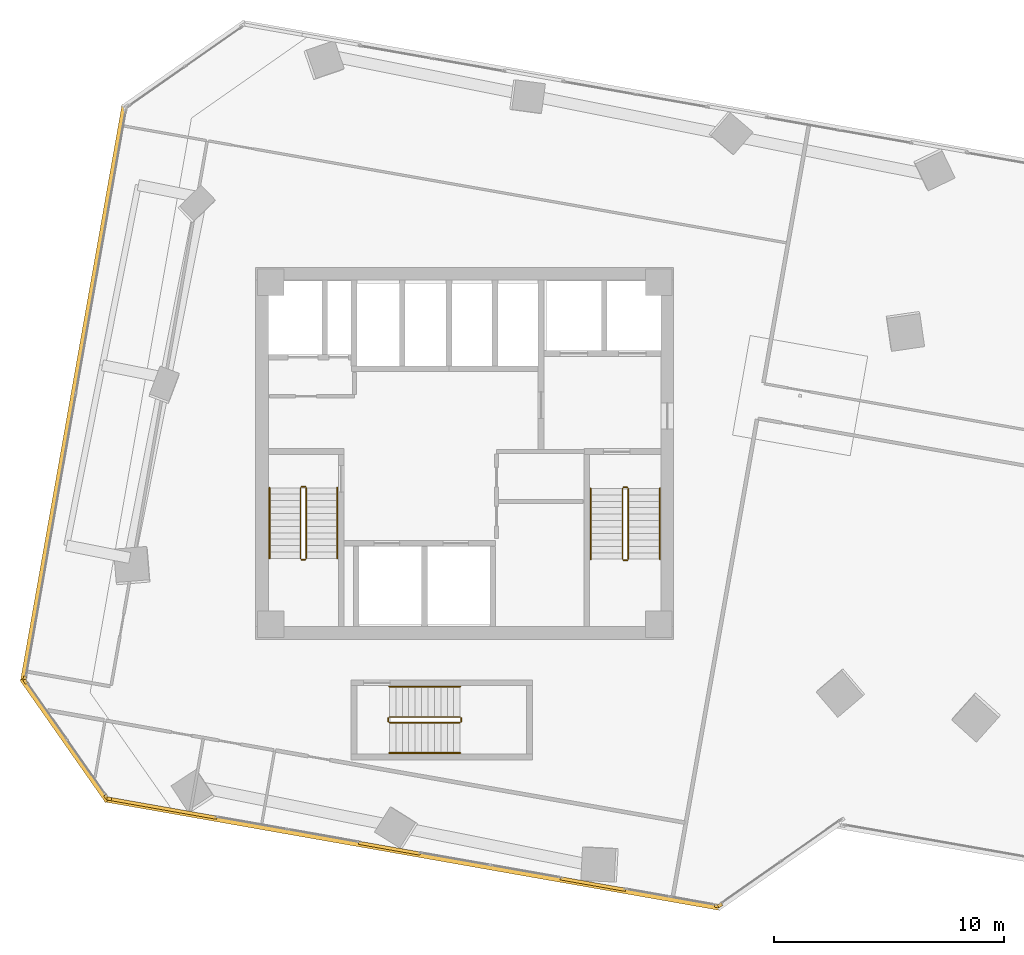
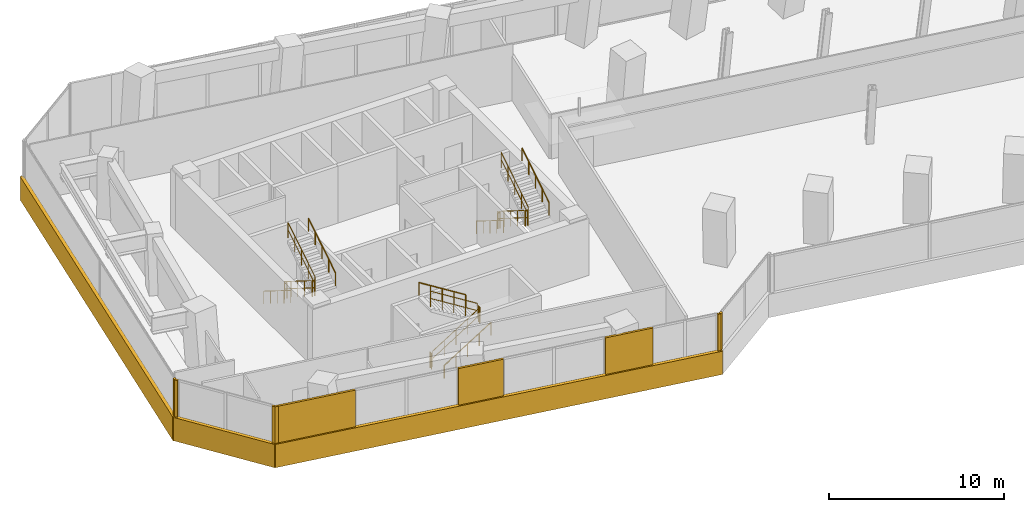
# One storey, part 22 of 24: 18 railings, 12 coverings.
"""IFC4 building model written with IfcOpenShell, lengths in metres."""

from ifc_helpers import new_model, si_unit, direction, frame, origin, origin_2d, place, context, subcontext, project, spatial, rectangle, circle, extrude, source, transform, mapped, material, layer, layer_set, type_object, element, save


model = new_model("IFC4")

# Units and contexts
model_context = context("Model", 3, precision=1e-05, world=origin(), true_north=direction((0.0, 1.0)))
body_context = subcontext(model_context, "Body", "Model", "MODEL_VIEW")
ifc_project = project(units=[si_unit("LENGTHUNIT", "METRE"), si_unit("AREAUNIT", "SQUARE_METRE"), si_unit("VOLUMEUNIT", "CUBIC_METRE"), si_unit("PLANEANGLEUNIT", "RADIAN"), si_unit("MASSUNIT", "GRAM", prefix="KILO")], contexts=[model_context])

# Site, building, storey
site_placement = place(None, origin())
site = spatial("IfcSite", under=ifc_project, at=site_placement, CompositionType="ELEMENT")
building_placement = place(site_placement, origin())
building = spatial("IfcBuilding", under=site, at=building_placement, Name="Torre Montelarca", CompositionType="ELEMENT")
storey_placement = place(building_placement, frame((0.0, 0.0, 79.0)))
storey = spatial("IfcBuildingStorey", under=building, at=storey_placement, Name="L17", CompositionType="ELEMENT", Elevation=79.0)

# Railings
ifc_material_1 = material(Name="Powder-coated steel ASTM A500 Grade C", Category="steel")
railing_type_1 = type_object("IfcRailingType", Name="RL-GUARD-1100", PredefinedType="BALUSTRADE", material=ifc_material_1)
railing_1_placement = place(storey_placement, frame((10.85009765625, 30.5, 0.175048828125)))
element("IfcRailing", 1, at=railing_1_placement, inside=storey, type_object=railing_type_1, Name="L17 ST1 stair guard 1", PredefinedType="BALUSTRADE", context=body_context, shape_type="SweptSolid", body=[
    extrude(circle(Radius=0.02392578125, at=origin_2d()), frame((0.0, 0.0, 1.076171875), z_axis=(0.0, -0.847998304005, 0.529998940003), x_axis=(1.0, 0.0, 0.0)), (0.0, 0.0, 1.0), 3.632080078125),
    extrude(circle(Radius=0.02099609375, at=origin_2d()), frame((0.0, 0.0, 0.572021484375), z_axis=(0.0, -0.847998304005, 0.529998940003), x_axis=(1.0, 0.0, 0.0)), (0.0, 0.0, 1.0), 3.632080078125),
    extrude(circle(Radius=0.02099609375, at=origin_2d()), origin(), (0.0, 0.0, 1.0), 1.052001953125),
    extrude(circle(Radius=0.02099609375, at=origin_2d()), frame((0.0, -0.77001953125, 0.481201171875)), (0.0, 0.0, 1.0), 1.052001953125),
    extrude(circle(Radius=0.02099609375, at=origin_2d()), frame((0.0, -1.5400390625, 0.96240234375)), (0.0, 0.0, 1.0), 1.052001953125),
    extrude(circle(Radius=0.02099609375, at=origin_2d()), frame((0.0, -2.31005859375, 1.44384765625)), (0.0, 0.0, 1.0), 1.052001953125),
    extrude(circle(Radius=0.02099609375, at=origin_2d()), frame((0.0, -3.080078125, 1.925048828125)), (0.0, 0.0, 1.0), 1.052001953125),
])
railing_2_placement = place(storey_placement, frame((10.89990234375, 27.3701171875, 2.10009765625)))
element("IfcRailing", 2, at=railing_2_placement, inside=storey, type_object=railing_type_1, Name="L17 ST1 stair guard 2", PredefinedType="BALUSTRADE", context=body_context, shape_type="SweptSolid", body=[
    extrude(circle(Radius=0.02392578125, at=origin_2d()), frame((0.0, 0.0, 1.076171875), z_axis=(1.0, 0.0, 0.0), x_axis=(0.0, 1.0, 0.0)), (0.0, 0.0, 1.0), 0.150146484375),
    extrude(circle(Radius=0.02099609375, at=origin_2d()), frame((0.0, 0.0, 0.572021484375), z_axis=(1.0, 0.0, 0.0), x_axis=(0.0, 1.0, 0.0)), (0.0, 0.0, 1.0), 0.150146484375),
    extrude(circle(Radius=0.02099609375, at=origin_2d()), origin(), (0.0, 0.0, 1.0), 1.052001953125),
    extrude(circle(Radius=0.02099609375, at=origin_2d()), frame((0.150146484375, 0.0, 0.0)), (0.0, 0.0, 1.0), 1.052001953125),
])
railing_3_placement = place(storey_placement, frame((11.10009765625, 27.419921875, 2.27490234375)))
element("IfcRailing", 3, at=railing_3_placement, inside=storey, type_object=railing_type_1, Name="L17 ST1 stair guard 3", PredefinedType="BALUSTRADE", context=body_context, shape_type="SweptSolid", body=[
    extrude(circle(Radius=0.02392578125, at=origin_2d()), frame((0.0, 0.0, 1.076171875), z_axis=(0.0, 0.847998304005, 0.529998940003), x_axis=(-1.0, 0.0, 0.0)), (0.0, 0.0, 1.0), 3.632080078125),
    extrude(circle(Radius=0.02099609375, at=origin_2d()), frame((0.0, 0.0, 0.572021484375), z_axis=(0.0, 0.847998304005, 0.529998940003), x_axis=(-1.0, 0.0, 0.0)), (0.0, 0.0, 1.0), 3.632080078125),
    extrude(circle(Radius=0.02099609375, at=origin_2d()), origin(), (0.0, 0.0, 1.0), 1.052001953125),
    extrude(circle(Radius=0.02099609375, at=origin_2d()), frame((0.0, 0.77001953125, 0.481201171875)), (0.0, 0.0, 1.0), 1.052001953125),
    extrude(circle(Radius=0.02099609375, at=origin_2d()), frame((0.0, 1.5400390625, 0.96240234375)), (0.0, 0.0, 1.0), 1.052001953125),
    extrude(circle(Radius=0.02099609375, at=origin_2d()), frame((0.0, 2.31005859375, 1.44384765625)), (0.0, 0.0, 1.0), 1.052001953125),
    extrude(circle(Radius=0.02099609375, at=origin_2d()), frame((0.0, 3.080078125, 1.925048828125)), (0.0, 0.0, 1.0), 1.052001953125),
])
railing_4_placement = place(storey_placement, frame((10.89990234375, 30.550048828125, 0.0)))
element("IfcRailing", 4, at=railing_4_placement, inside=storey, type_object=railing_type_1, Name="L17 ST1 stair guard 4", PredefinedType="BALUSTRADE", context=body_context, shape_type="SweptSolid", body=[
    extrude(circle(Radius=0.02392578125, at=origin_2d()), frame((0.0, 0.0, 1.076171875), z_axis=(1.0, 0.0, 0.0), x_axis=(0.0, 1.0, 0.0)), (0.0, 0.0, 1.0), 0.150146484375),
    extrude(circle(Radius=0.02099609375, at=origin_2d()), frame((0.0, 0.0, 0.572021484375), z_axis=(1.0, 0.0, 0.0), x_axis=(0.0, 1.0, 0.0)), (0.0, 0.0, 1.0), 0.150146484375),
    extrude(circle(Radius=0.02099609375, at=origin_2d()), origin(), (0.0, 0.0, 1.0), 1.052001953125),
    extrude(circle(Radius=0.02099609375, at=origin_2d()), frame((0.150146484375, 0.0, 0.0)), (0.0, 0.0, 1.0), 1.052001953125),
])
railing_5_placement = place(storey_placement, frame((24.8701171875, 30.469970703125, 0.175048828125)))
element("IfcRailing", 5, at=railing_5_placement, inside=storey, type_object=railing_type_1, Name="L17 ST2 stair guard 1", PredefinedType="BALUSTRADE", context=body_context, shape_type="SweptSolid", body=[
    extrude(circle(Radius=0.02392578125, at=origin_2d()), frame((0.0, 0.0, 1.076171875), z_axis=(0.0, -0.847998304005, 0.529998940003), x_axis=(1.0, 0.0, 0.0)), (0.0, 0.0, 1.0), 3.632080078125),
    extrude(circle(Radius=0.02099609375, at=origin_2d()), frame((0.0, 0.0, 0.572021484375), z_axis=(0.0, -0.847998304005, 0.529998940003), x_axis=(1.0, 0.0, 0.0)), (0.0, 0.0, 1.0), 3.632080078125),
    extrude(circle(Radius=0.02099609375, at=origin_2d()), origin(), (0.0, 0.0, 1.0), 1.052001953125),
    extrude(circle(Radius=0.02099609375, at=origin_2d()), frame((0.0, -0.77001953125, 0.481201171875)), (0.0, 0.0, 1.0), 1.052001953125),
    extrude(circle(Radius=0.02099609375, at=origin_2d()), frame((0.0, -1.5400390625, 0.96240234375)), (0.0, 0.0, 1.0), 1.052001953125),
    extrude(circle(Radius=0.02099609375, at=origin_2d()), frame((0.0, -2.31005859375, 1.44384765625)), (0.0, 0.0, 1.0), 1.052001953125),
    extrude(circle(Radius=0.02099609375, at=origin_2d()), frame((0.0, -3.080078125, 1.925048828125)), (0.0, 0.0, 1.0), 1.052001953125),
])
railing_6_placement = place(storey_placement, frame((24.919921875, 27.340087890625, 2.10009765625)))
element("IfcRailing", 6, at=railing_6_placement, inside=storey, type_object=railing_type_1, Name="L17 ST2 stair guard 2", PredefinedType="BALUSTRADE", context=body_context, shape_type="SweptSolid", body=[
    extrude(circle(Radius=0.02392578125, at=origin_2d()), frame((0.0, 0.0, 1.076171875), z_axis=(1.0, 0.0, 0.0), x_axis=(0.0, 1.0, 0.0)), (0.0, 0.0, 1.0), 0.150146484375),
    extrude(circle(Radius=0.02099609375, at=origin_2d()), frame((0.0, 0.0, 0.572021484375), z_axis=(1.0, 0.0, 0.0), x_axis=(0.0, 1.0, 0.0)), (0.0, 0.0, 1.0), 0.150146484375),
    extrude(circle(Radius=0.02099609375, at=origin_2d()), origin(), (0.0, 0.0, 1.0), 1.052001953125),
    extrude(circle(Radius=0.02099609375, at=origin_2d()), frame((0.150146484375, 0.0, 0.0)), (0.0, 0.0, 1.0), 1.052001953125),
])
railing_7_placement = place(storey_placement, frame((25.1201171875, 27.389892578125, 2.27490234375)))
element("IfcRailing", 7, at=railing_7_placement, inside=storey, type_object=railing_type_1, Name="L17 ST2 stair guard 3", PredefinedType="BALUSTRADE", context=body_context, shape_type="SweptSolid", body=[
    extrude(circle(Radius=0.02392578125, at=origin_2d()), frame((0.0, 0.0, 1.076171875), z_axis=(0.0, 0.847998304005, 0.529998940003), x_axis=(-1.0, 0.0, 0.0)), (0.0, 0.0, 1.0), 3.632080078125),
    extrude(circle(Radius=0.02099609375, at=origin_2d()), frame((0.0, 0.0, 0.572021484375), z_axis=(0.0, 0.847998304005, 0.529998940003), x_axis=(-1.0, 0.0, 0.0)), (0.0, 0.0, 1.0), 3.632080078125),
    extrude(circle(Radius=0.02099609375, at=origin_2d()), origin(), (0.0, 0.0, 1.0), 1.052001953125),
    extrude(circle(Radius=0.02099609375, at=origin_2d()), frame((0.0, 0.77001953125, 0.481201171875)), (0.0, 0.0, 1.0), 1.052001953125),
    extrude(circle(Radius=0.02099609375, at=origin_2d()), frame((0.0, 1.5400390625, 0.96240234375)), (0.0, 0.0, 1.0), 1.052001953125),
    extrude(circle(Radius=0.02099609375, at=origin_2d()), frame((0.0, 2.31005859375, 1.44384765625)), (0.0, 0.0, 1.0), 1.052001953125),
    extrude(circle(Radius=0.02099609375, at=origin_2d()), frame((0.0, 3.080078125, 1.925048828125)), (0.0, 0.0, 1.0), 1.052001953125),
])
railing_8_placement = place(storey_placement, frame((24.919921875, 30.52001953125, 0.0)))
element("IfcRailing", 8, at=railing_8_placement, inside=storey, type_object=railing_type_1, Name="L17 ST2 stair guard 4", PredefinedType="BALUSTRADE", context=body_context, shape_type="SweptSolid", body=[
    extrude(circle(Radius=0.02392578125, at=origin_2d()), frame((0.0, 0.0, 1.076171875), z_axis=(1.0, 0.0, 0.0), x_axis=(0.0, 1.0, 0.0)), (0.0, 0.0, 1.0), 0.150146484375),
    extrude(circle(Radius=0.02099609375, at=origin_2d()), frame((0.0, 0.0, 0.572021484375), z_axis=(1.0, 0.0, 0.0), x_axis=(0.0, 1.0, 0.0)), (0.0, 0.0, 1.0), 0.150146484375),
    extrude(circle(Radius=0.02099609375, at=origin_2d()), origin(), (0.0, 0.0, 1.0), 1.052001953125),
    extrude(circle(Radius=0.02099609375, at=origin_2d()), frame((0.150146484375, 0.0, 0.0)), (0.0, 0.0, 1.0), 1.052001953125),
])
railing_9_placement = place(storey_placement, frame((14.719970703125, 20.27001953125, 0.175048828125)))
element("IfcRailing", 9, at=railing_9_placement, inside=storey, type_object=railing_type_1, Name="L17 ST3 stair guard 1", PredefinedType="BALUSTRADE", context=body_context, shape_type="SweptSolid", body=[
    extrude(circle(Radius=0.02392578125, at=origin_2d()), frame((0.0, 0.0, 1.076171875), z_axis=(0.847998304005, 0.0, 0.529998940003), x_axis=(0.0, 1.0, 0.0)), (0.0, 0.0, 1.0), 3.632080078125),
    extrude(circle(Radius=0.02099609375, at=origin_2d()), frame((0.0, 0.0, 0.572021484375), z_axis=(0.847998304005, 0.0, 0.529998940003), x_axis=(0.0, 1.0, 0.0)), (0.0, 0.0, 1.0), 3.632080078125),
    extrude(circle(Radius=0.02099609375, at=origin_2d()), origin(), (0.0, 0.0, 1.0), 1.052001953125),
    extrude(circle(Radius=0.02099609375, at=origin_2d()), frame((0.77001953125, 0.0, 0.481201171875)), (0.0, 0.0, 1.0), 1.052001953125),
    extrude(circle(Radius=0.02099609375, at=origin_2d()), frame((1.5400390625, 0.0, 0.96240234375)), (0.0, 0.0, 1.0), 1.052001953125),
    extrude(circle(Radius=0.02099609375, at=origin_2d()), frame((2.31005859375, 0.0, 1.44384765625)), (0.0, 0.0, 1.0), 1.052001953125),
    extrude(circle(Radius=0.02099609375, at=origin_2d()), frame((3.080078125, 0.0, 1.925048828125)), (0.0, 0.0, 1.0), 1.052001953125),
])
railing_10_placement = place(storey_placement, frame((17.85009765625, 20.320068359375, 2.10009765625)))
element("IfcRailing", 10, at=railing_10_placement, inside=storey, type_object=railing_type_1, Name="L17 ST3 stair guard 2", PredefinedType="BALUSTRADE", context=body_context, shape_type="SweptSolid", body=[
    extrude(circle(Radius=0.02392578125, at=origin_2d()), frame((0.0, 0.0, 1.076171875), z_axis=(0.0, 1.0, 0.0), x_axis=(-1.0, 0.0, 0.0)), (0.0, 0.0, 1.0), 0.14990234375),
    extrude(circle(Radius=0.02099609375, at=origin_2d()), frame((0.0, 0.0, 0.572021484375), z_axis=(0.0, 1.0, 0.0), x_axis=(-1.0, 0.0, 0.0)), (0.0, 0.0, 1.0), 0.14990234375),
    extrude(circle(Radius=0.02099609375, at=origin_2d()), origin(), (0.0, 0.0, 1.0), 1.052001953125),
    extrude(circle(Radius=0.02099609375, at=origin_2d()), frame((0.0, 0.14990234375, 0.0)), (0.0, 0.0, 1.0), 1.052001953125),
])
railing_11_placement = place(storey_placement, frame((17.800048828125, 20.52001953125, 2.27490234375)))
element("IfcRailing", 11, at=railing_11_placement, inside=storey, type_object=railing_type_1, Name="L17 ST3 stair guard 3", PredefinedType="BALUSTRADE", context=body_context, shape_type="SweptSolid", body=[
    extrude(circle(Radius=0.02392578125, at=origin_2d()), frame((0.0, 0.0, 1.076171875), z_axis=(-0.847998304005, 0.0, 0.529998940003), x_axis=(0.0, -1.0, 0.0)), (0.0, 0.0, 1.0), 3.632080078125),
    extrude(circle(Radius=0.02099609375, at=origin_2d()), frame((0.0, 0.0, 0.572021484375), z_axis=(-0.847998304005, 0.0, 0.529998940003), x_axis=(0.0, -1.0, 0.0)), (0.0, 0.0, 1.0), 3.632080078125),
    extrude(circle(Radius=0.02099609375, at=origin_2d()), origin(), (0.0, 0.0, 1.0), 1.052001953125),
    extrude(circle(Radius=0.02099609375, at=origin_2d()), frame((-0.77001953125, 0.0, 0.481201171875)), (0.0, 0.0, 1.0), 1.052001953125),
    extrude(circle(Radius=0.02099609375, at=origin_2d()), frame((-1.5400390625, 0.0, 0.96240234375)), (0.0, 0.0, 1.0), 1.052001953125),
    extrude(circle(Radius=0.02099609375, at=origin_2d()), frame((-2.31005859375, 0.0, 1.44384765625)), (0.0, 0.0, 1.0), 1.052001953125),
    extrude(circle(Radius=0.02099609375, at=origin_2d()), frame((-3.080078125, 0.0, 1.925048828125)), (0.0, 0.0, 1.0), 1.052001953125),
])
railing_12_placement = place(storey_placement, frame((14.669921875, 20.320068359375, 0.0)))
element("IfcRailing", 12, at=railing_12_placement, inside=storey, type_object=railing_type_1, Name="L17 ST3 stair guard 4", PredefinedType="BALUSTRADE", context=body_context, shape_type="SweptSolid", body=[
    extrude(circle(Radius=0.02392578125, at=origin_2d()), frame((0.0, 0.0, 1.076171875), z_axis=(0.0, 1.0, 0.0), x_axis=(-1.0, 0.0, 0.0)), (0.0, 0.0, 1.0), 0.14990234375),
    extrude(circle(Radius=0.02099609375, at=origin_2d()), frame((0.0, 0.0, 0.572021484375), z_axis=(0.0, 1.0, 0.0), x_axis=(-1.0, 0.0, 0.0)), (0.0, 0.0, 1.0), 0.14990234375),
    extrude(circle(Radius=0.02099609375, at=origin_2d()), origin(), (0.0, 0.0, 1.0), 1.052001953125),
    extrude(circle(Radius=0.02099609375, at=origin_2d()), frame((0.0, 0.14990234375, 0.0)), (0.0, 0.0, 1.0), 1.052001953125),
])
ifc_material_2 = material(Name="Brushed stainless steel AISI 316", Category="steel")
railing_type_2 = type_object("IfcRailingType", Name="RL-HANDRAIL-900", PredefinedType="HANDRAIL", material=ifc_material_2)
railing_13_placement = place(storey_placement, frame((9.5, 30.5, 0.175048828125)))
element("IfcRailing", 13, at=railing_13_placement, inside=storey, type_object=railing_type_2, Name="L17 ST1 stair handrail 1", PredefinedType="HANDRAIL", context=body_context, shape_type="SweptSolid", body=[
    extrude(circle(Radius=0.02392578125, at=origin_2d()), frame((0.0, 0.0, 0.8759765625), z_axis=(0.0, -0.847998304005, 0.529998940003), x_axis=(1.0, 0.0, 0.0)), (0.0, 0.0, 1.0), 3.632080078125),
    extrude(circle(Radius=0.02099609375, at=origin_2d()), origin(), (0.0, 0.0, 1.0), 0.851806640625),
    extrude(circle(Radius=0.02099609375, at=origin_2d()), frame((0.0, -0.77001953125, 0.481201171875)), (0.0, 0.0, 1.0), 0.851806640625),
    extrude(circle(Radius=0.02099609375, at=origin_2d()), frame((0.0, -1.5400390625, 0.96240234375)), (0.0, 0.0, 1.0), 0.851806640625),
    extrude(circle(Radius=0.02099609375, at=origin_2d()), frame((0.0, -2.31005859375, 1.44384765625)), (0.0, 0.0, 1.0), 0.851806640625),
    extrude(circle(Radius=0.02099609375, at=origin_2d()), frame((0.0, -3.080078125, 1.925048828125)), (0.0, 0.0, 1.0), 0.851806640625),
])
railing_14_placement = place(storey_placement, frame((12.449951171875, 27.419921875, 2.27490234375)))
element("IfcRailing", 14, at=railing_14_placement, inside=storey, type_object=railing_type_2, Name="L17 ST1 stair handrail 2", PredefinedType="HANDRAIL", context=body_context, shape_type="SweptSolid", body=[
    extrude(circle(Radius=0.02392578125, at=origin_2d()), frame((0.0, 0.0, 0.8759765625), z_axis=(0.0, 0.847998304005, 0.529998940003), x_axis=(-1.0, 0.0, 0.0)), (0.0, 0.0, 1.0), 3.632080078125),
    extrude(circle(Radius=0.02099609375, at=origin_2d()), origin(), (0.0, 0.0, 1.0), 0.851806640625),
    extrude(circle(Radius=0.02099609375, at=origin_2d()), frame((0.0, 0.77001953125, 0.481201171875)), (0.0, 0.0, 1.0), 0.851806640625),
    extrude(circle(Radius=0.02099609375, at=origin_2d()), frame((0.0, 1.5400390625, 0.96240234375)), (0.0, 0.0, 1.0), 0.851806640625),
    extrude(circle(Radius=0.02099609375, at=origin_2d()), frame((0.0, 2.31005859375, 1.44384765625)), (0.0, 0.0, 1.0), 0.851806640625),
    extrude(circle(Radius=0.02099609375, at=origin_2d()), frame((0.0, 3.080078125, 1.925048828125)), (0.0, 0.0, 1.0), 0.851806640625),
])
railing_15_placement = place(storey_placement, frame((23.489990234375, 30.469970703125, 0.175048828125)))
element("IfcRailing", 15, at=railing_15_placement, inside=storey, type_object=railing_type_2, Name="L17 ST2 stair handrail 1", PredefinedType="HANDRAIL", context=body_context, shape_type="SweptSolid", body=[
    extrude(circle(Radius=0.02392578125, at=origin_2d()), frame((0.0, 0.0, 0.8759765625), z_axis=(0.0, -0.847998304005, 0.529998940003), x_axis=(1.0, 0.0, 0.0)), (0.0, 0.0, 1.0), 3.632080078125),
    extrude(circle(Radius=0.02099609375, at=origin_2d()), origin(), (0.0, 0.0, 1.0), 0.851806640625),
    extrude(circle(Radius=0.02099609375, at=origin_2d()), frame((0.0, -0.77001953125, 0.481201171875)), (0.0, 0.0, 1.0), 0.851806640625),
    extrude(circle(Radius=0.02099609375, at=origin_2d()), frame((0.0, -1.5400390625, 0.96240234375)), (0.0, 0.0, 1.0), 0.851806640625),
    extrude(circle(Radius=0.02099609375, at=origin_2d()), frame((0.0, -2.31005859375, 1.44384765625)), (0.0, 0.0, 1.0), 0.851806640625),
    extrude(circle(Radius=0.02099609375, at=origin_2d()), frame((0.0, -3.080078125, 1.925048828125)), (0.0, 0.0, 1.0), 0.851806640625),
])
railing_16_placement = place(storey_placement, frame((26.5, 27.389892578125, 2.27490234375)))
element("IfcRailing", 16, at=railing_16_placement, inside=storey, type_object=railing_type_2, Name="L17 ST2 stair handrail 2", PredefinedType="HANDRAIL", context=body_context, shape_type="SweptSolid", body=[
    extrude(circle(Radius=0.02392578125, at=origin_2d()), frame((0.0, 0.0, 0.8759765625), z_axis=(0.0, 0.847998304005, 0.529998940003), x_axis=(-1.0, 0.0, 0.0)), (0.0, 0.0, 1.0), 3.632080078125),
    extrude(circle(Radius=0.02099609375, at=origin_2d()), origin(), (0.0, 0.0, 1.0), 0.851806640625),
    extrude(circle(Radius=0.02099609375, at=origin_2d()), frame((0.0, 0.77001953125, 0.481201171875)), (0.0, 0.0, 1.0), 0.851806640625),
    extrude(circle(Radius=0.02099609375, at=origin_2d()), frame((0.0, 1.5400390625, 0.96240234375)), (0.0, 0.0, 1.0), 0.851806640625),
    extrude(circle(Radius=0.02099609375, at=origin_2d()), frame((0.0, 2.31005859375, 1.44384765625)), (0.0, 0.0, 1.0), 0.851806640625),
    extrude(circle(Radius=0.02099609375, at=origin_2d()), frame((0.0, 3.080078125, 1.925048828125)), (0.0, 0.0, 1.0), 0.851806640625),
])
railing_17_placement = place(storey_placement, frame((14.719970703125, 18.949951171875, 0.175048828125)))
element("IfcRailing", 17, at=railing_17_placement, inside=storey, type_object=railing_type_2, Name="L17 ST3 stair handrail 1", PredefinedType="HANDRAIL", context=body_context, shape_type="SweptSolid", body=[
    extrude(circle(Radius=0.02392578125, at=origin_2d()), frame((0.0, 0.0, 0.8759765625), z_axis=(0.847998304005, 0.0, 0.529998940003), x_axis=(0.0, 1.0, 0.0)), (0.0, 0.0, 1.0), 3.632080078125),
    extrude(circle(Radius=0.02099609375, at=origin_2d()), origin(), (0.0, 0.0, 1.0), 0.851806640625),
    extrude(circle(Radius=0.02099609375, at=origin_2d()), frame((0.77001953125, 0.0, 0.481201171875)), (0.0, 0.0, 1.0), 0.851806640625),
    extrude(circle(Radius=0.02099609375, at=origin_2d()), frame((1.5400390625, 0.0, 0.96240234375)), (0.0, 0.0, 1.0), 0.851806640625),
    extrude(circle(Radius=0.02099609375, at=origin_2d()), frame((2.31005859375, 0.0, 1.44384765625)), (0.0, 0.0, 1.0), 0.851806640625),
    extrude(circle(Radius=0.02099609375, at=origin_2d()), frame((3.080078125, 0.0, 1.925048828125)), (0.0, 0.0, 1.0), 0.851806640625),
])
railing_18_placement = place(storey_placement, frame((17.800048828125, 21.840087890625, 2.27490234375)))
element("IfcRailing", 18, at=railing_18_placement, inside=storey, type_object=railing_type_2, Name="L17 ST3 stair handrail 2", PredefinedType="HANDRAIL", context=body_context, shape_type="SweptSolid", body=[
    extrude(circle(Radius=0.02392578125, at=origin_2d()), frame((0.0, 0.0, 0.8759765625), z_axis=(-0.847998304005, 0.0, 0.529998940003), x_axis=(0.0, -1.0, 0.0)), (0.0, 0.0, 1.0), 3.632080078125),
    extrude(circle(Radius=0.02099609375, at=origin_2d()), origin(), (0.0, 0.0, 1.0), 0.851806640625),
    extrude(circle(Radius=0.02099609375, at=origin_2d()), frame((-0.77001953125, 0.0, 0.481201171875)), (0.0, 0.0, 1.0), 0.851806640625),
    extrude(circle(Radius=0.02099609375, at=origin_2d()), frame((-1.5400390625, 0.0, 0.96240234375)), (0.0, 0.0, 1.0), 0.851806640625),
    extrude(circle(Radius=0.02099609375, at=origin_2d()), frame((-2.31005859375, 0.0, 1.44384765625)), (0.0, 0.0, 1.0), 0.851806640625),
    extrude(circle(Radius=0.02099609375, at=origin_2d()), frame((-3.080078125, 0.0, 1.925048828125)), (0.0, 0.0, 1.0), 0.851806640625),
])

# Coverings
ifc_material_3 = material(Name="Bush-hammered warm white precast concrete C45/55", Category="concrete")
ifc_layer = layer(ifc_material_3, 0.139892578125, Name="Bush-hammered warm white precast concrete C45/55", Category="concrete")
ifc_layer_set = layer_set([ifc_layer], Name="Bush-hammered warm white precast concrete C45/55")
covering_type = type_object("IfcCoveringType", Name="COV-TRAY-CLAD", PredefinedType="CLADDING", material=ifc_layer_set)
shared_shape_1 = source(origin(), body_context, "Body", "SweptSolid", [
    extrude(rectangle(XDim=6.48388671875, YDim=0.219970703125, at=origin_2d()), origin(), (0.0, 0.0, 1.0), 1.6201171875),
])
covering_1_placement = place(storey_placement, frame((0.585205078125, 19.513427734375, -0.449951171875), z_axis=(0.0, 0.0, 1.0), x_axis=(0.573570717577, -0.819156048588, 0.0)))
element("IfcCovering", 19, at=covering_1_placement, inside=storey, type_object=covering_type, Name="L17 Architectural White Spandrel Tray Band TRYBOT-11", PredefinedType="CLADDING", context=body_context, shape_type="MappedRepresentation", body=[
    mapped(shared_shape_1, transform((0.0, 0.0, 0.0), scale=1.0)),
])
shared_shape_2 = source(origin(), body_context, "Body", "SweptSolid", [
    extrude(rectangle(XDim=25.52001953125, YDim=0.219970703125, at=origin_2d()), origin(), (0.0, 0.0, 1.0), 1.6201171875),
])
covering_2_placement = place(storey_placement, frame((0.970458984375, 34.6044921875, -0.449951171875), z_axis=(0.0, 0.0, 1.0), x_axis=(-0.17364989648, -0.984807449937, 0.0)))
element("IfcCovering", 20, at=covering_2_placement, inside=storey, type_object=covering_type, Name="L17 Architectural White Spandrel Tray Band TRYBOT-10", PredefinedType="CLADDING", context=body_context, shape_type="MappedRepresentation", body=[
    mapped(shared_shape_2, transform((0.0, 0.0, 0.0), scale=1.0)),
])
shared_shape_3 = source(origin(), body_context, "Body", "SweptSolid", [
    extrude(rectangle(XDim=27.219970703125, YDim=0.219970703125, at=origin_2d()), origin(), (0.0, 0.0, 1.0), 1.6201171875),
])
covering_3_placement = place(storey_placement, frame((15.735107421875, 14.566162109375, -0.449951171875), z_axis=(0.0, 0.0, 1.0), x_axis=(0.984807449937, -0.17364989648, 0.0)))
element("IfcCovering", 21, at=covering_3_placement, inside=storey, type_object=covering_type, Name="L17 Architectural White Spandrel Tray Band TRYBOT-01", PredefinedType="CLADDING", context=body_context, shape_type="MappedRepresentation", body=[
    mapped(shared_shape_3, transform((0.0, 0.0, 0.0), scale=1.0)),
])
shared_shape_4 = source(origin(), body_context, "Body", "SweptSolid", [
    extrude(rectangle(XDim=2.734375, YDim=0.139892578125, at=origin_2d()), origin(), (0.0, 0.0, 1.0), 3.719970703125),
])
covering_4_placement = place(storey_placement, frame((14.72412109375, 14.805419921875, 0.0), z_axis=(0.0, 0.0, 1.0), x_axis=(0.984807753012, -0.173648177667, 0.0)))
element("IfcCovering", 22, at=covering_4_placement, inside=storey, type_object=covering_type, Name="L17 Architectural Column Pier Cladding E01-3", PredefinedType="CLADDING", context=body_context, shape_type="MappedRepresentation", body=[
    mapped(shared_shape_4, transform((0.0, 0.0, 0.0), scale=1.0)),
])
shared_shape_5 = source(origin(), body_context, "Body", "SweptSolid", [
    extrude(rectangle(XDim=2.886474609375, YDim=0.139892578125, at=origin_2d()), origin(), (0.0, 0.0, 1.0), 3.719970703125),
])
covering_5_placement = place(storey_placement, frame((23.586181640625, 13.242919921875, 0.0), z_axis=(0.0, 0.0, 1.0), x_axis=(0.984807753012, -0.173648177667, 0.0)))
element("IfcCovering", 23, at=covering_5_placement, inside=storey, type_object=covering_type, Name="L17 Architectural Column Pier Cladding E01-4", PredefinedType="CLADDING", context=body_context, shape_type="MappedRepresentation", body=[
    mapped(shared_shape_5, transform((0.0, 0.0, 0.0), scale=1.0)),
])
shared_shape_6 = source(origin(), body_context, "Body", "SweptSolid", [
    extrude(rectangle(XDim=0.199951171875, YDim=0.139892578125, at=origin_2d()), origin(), (0.0, 0.0, 1.0), 3.719970703125),
])
for number, where, z_axis, x_axis, name in (
    (24, (2.515380859375, 16.9580078125, 0.0), (0.0, 0.0, 1.0), (0.984807753012, -0.173648177667, 0.0), "L17 Architectural Column Pier Cladding E01-1"),
    (25, (28.9755859375, 12.29248046875, 0.0), (0.0, 0.0, 1.0), (0.984807753012, -0.173648177667, 0.0), "L17 Architectural Column Pier Cladding E01-5"),
    (26, (29.1171875, 12.323974609375, 0.0), (0.0, 0.0, 1.0), (0.819155047517, 0.573572147273, 0.0), "L17 Architectural Column Pier Cladding E02-1"),
    (27, (-1.15576171875, 22.201171875, 0.0), (0.0, 0.0, 1.0), (-0.173648177667, -0.984807753012, 0.0), "L17 Architectural Column Pier Cladding E10-2"),
    (28, (-1.124267578125, 22.0595703125, 0.0), (0.0, 0.0, 1.0), (0.573557850233, -0.819165058115, 0.0), "L17 Architectural Column Pier Cladding E11-1"),
    (29, (2.39306640625, 17.0361328125, 0.0), (0.0, 0.0, 1.0), (0.573557850233, -0.819165058115, 0.0), "L17 Architectural Column Pier Cladding E11-2"),
):
    element("IfcCovering", number, at=place(storey_placement, frame(where, z_axis=z_axis, x_axis=x_axis)), inside=storey, type_object=covering_type, Name=name, PredefinedType="CLADDING", context=body_context, shape_type="MappedRepresentation", body=[
        mapped(shared_shape_6, transform((0.0, 0.0, 0.0), scale=1.0)),
    ])
shared_shape_7 = source(origin(), body_context, "Body", "SweptSolid", [
    extrude(rectangle(XDim=4.76416015625, YDim=0.139892578125, at=origin_2d()), origin(), (0.0, 0.0, 1.0), 3.719970703125),
])
covering_6_placement = place(storey_placement, frame((4.861328125, 16.54443359375, 0.0), z_axis=(0.0, 0.0, 1.0), x_axis=(0.984807753012, -0.173648177667, 0.0)))
element("IfcCovering", 30, at=covering_6_placement, inside=storey, type_object=covering_type, Name="L17 Architectural Column Pier Cladding E01-2", PredefinedType="CLADDING", context=body_context, shape_type="MappedRepresentation", body=[
    mapped(shared_shape_7, transform((0.0, 0.0, 0.0), scale=1.0)),
])

save(model, "model.ifc")
